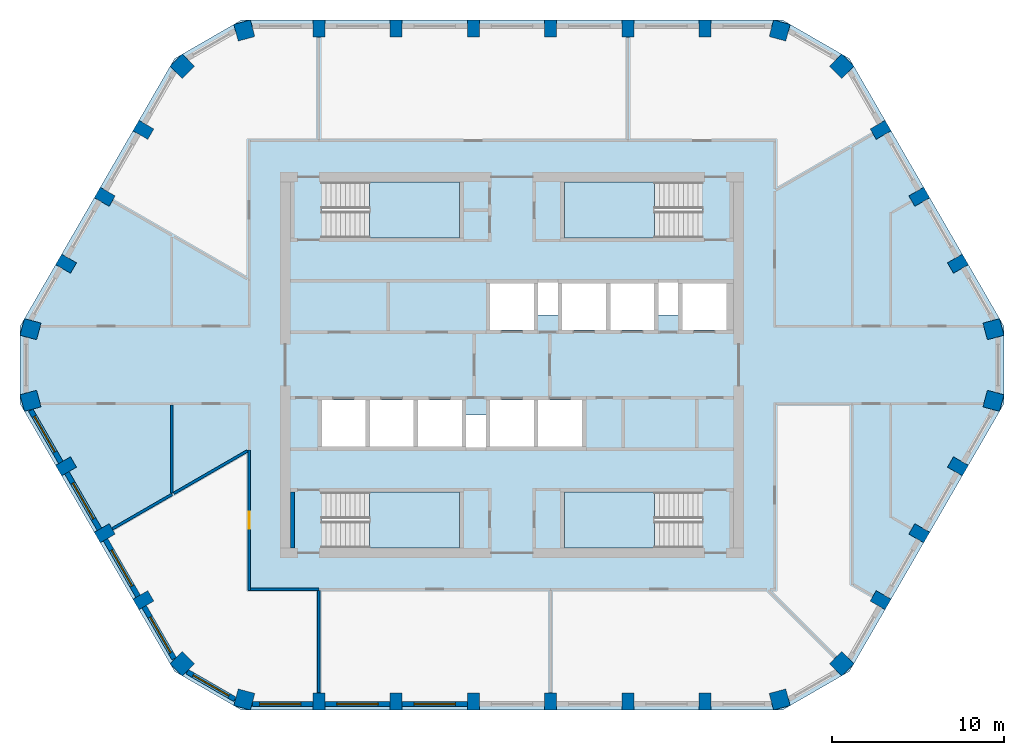
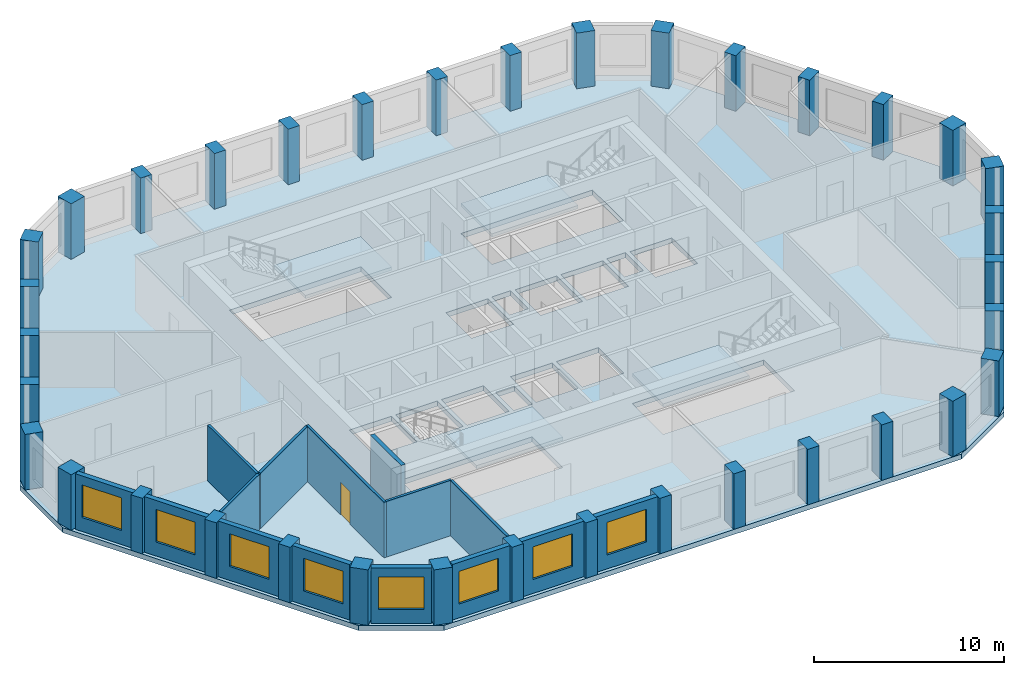
# One storey, part 1 of 11: 36 columns, 15 walls, 8 windows, 5 slabs, 1 door, 9 openings, 4 elements without a shape of their own.
"""IFC4 building model written with IfcOpenShell, lengths in metres."""

from ifc_helpers import new_model, si_unit, direction, frame, frame_2d, origin, origin_2d, place, context, subcontext, project, spatial, polyline, rectangle, outline, extrude, material, layer, layer_set, material_profile, profile_set, type_object, element, fill, aggregate, save


model = new_model("IFC4")

# Units and contexts
model_context = context("Model", 3, precision=1e-05, world=origin(), true_north=direction((0.0, 1.0)))
body_context = subcontext(model_context, "Body", "Model", "MODEL_VIEW")
ifc_project = project(units=[si_unit("LENGTHUNIT", "METRE"), si_unit("AREAUNIT", "SQUARE_METRE"), si_unit("VOLUMEUNIT", "CUBIC_METRE"), si_unit("PLANEANGLEUNIT", "RADIAN"), si_unit("MASSUNIT", "GRAM", prefix="KILO")], contexts=[model_context])

# Site, building, storey
site_placement = place(None, origin())
site = spatial("IfcSite", under=ifc_project, at=site_placement, CompositionType="ELEMENT")
building_placement = place(site_placement, origin())
building = spatial("IfcBuilding", under=site, at=building_placement, Name="Dhurran Vertical Campus", CompositionType="ELEMENT")
storey_placement = place(building_placement, frame((0.0, 0.0, 270.300048828125)))
storey = spatial("IfcBuildingStorey", under=building, at=storey_placement, Name="L67", CompositionType="ELEMENT", Elevation=270.300048828125)

# Columns
ifc_material_1 = material(Name="Concrete C50/60", Category="concrete")
ifc_material_profile_1 = material_profile(ifc_material_1, rectangle(XDim=1.0, YDim=1.0, at=origin_2d()), Name="RC 1000x1000")
ifc_profile_set_1 = profile_set([ifc_material_profile_1], Name="Concrete C50/60")
column_type_1 = type_object("IfcColumnType", Name="FR COL RC 1000x1000 C50/60", PredefinedType="COLUMN", material=ifc_profile_set_1)
for number, where, z_axis, x_axis, name in (
    (1, (-15.5859375, -19.47607421875, 0.0), (0.0, 0.0, 1.0), (0.965925826289, -0.258819045103, 0.0), "Perimeter pier PP5.00"),
    (2, (15.5859375, -19.47607421875, 0.0), (0.0, 0.0, 1.0), (0.965925826289, 0.258819045103, 0.0), "Perimeter pier PP5.07"),
    (3, (19.19873046875, -17.39013671875, 0.0), (0.0, 0.0, 1.0), (0.707106781187, 0.707106781187, 0.0), "Perimeter pier PP5.08"),
    (4, (28.03466796875, -2.0859375, 0.0), (0.0, 0.0, 1.0), (0.258819045103, 0.965925826289, 0.0), "Perimeter pier PP5.12"),
    (5, (28.03466796875, 2.0859375, 0.0), (0.0, 0.0, 1.0), (-0.258819045103, 0.965925826289, 0.0), "Perimeter pier PP5.13"),
    (6, (19.19873046875, 17.39013671875, 0.0), (0.0, 0.0, 1.0), (-0.707106781187, 0.707106781187, 0.0), "Perimeter pier PP5.17"),
    (7, (15.5859375, 19.47607421875, 0.0), (0.0, 0.0, 1.0), (-0.965925826289, 0.258819045103, 0.0), "Perimeter pier PP5.18"),
    (8, (-15.5859375, 19.47607421875, 0.0), (0.0, 0.0, 1.0), (-0.965925826289, -0.258819045103, 0.0), "Perimeter pier PP5.25"),
    (9, (-19.19873046875, 17.39013671875, 0.0), (0.0, 0.0, 1.0), (-0.707106781187, -0.707106781187, 0.0), "Perimeter pier PP5.26"),
    (10, (-28.03466796875, 2.0859375, 0.0), (0.0, 0.0, 1.0), (-0.258819045103, -0.965925826289, 0.0), "Perimeter pier PP5.30"),
    (11, (-28.03466796875, -2.0859375, 0.0), (0.0, 0.0, 1.0), (0.258819045103, -0.965925826289, 0.0), "Perimeter pier PP5.31"),
    (12, (-19.19873046875, -17.39013671875, 0.0), (0.0, 0.0, 1.0), (0.707106781187, -0.707106781187, 0.0), "Perimeter pier PP5.35"),
):
    element("IfcColumn", number, at=place(storey_placement, frame(where, z_axis=z_axis, x_axis=x_axis)), inside=storey, type_object=column_type_1, Name=name, PredefinedType="COLUMN", context=body_context, shape_type="SweptSolid", body=[
        extrude(rectangle(XDim=1.0, YDim=1.0, at=origin_2d()), origin(), (0.0, 0.0, 1.0), 3.574951171875),
    ])
ifc_material_2 = material(Name="Concrete C50/60", Category="concrete")
ifc_material_profile_2 = material_profile(ifc_material_2, rectangle(XDim=0.699951171875, YDim=1.0, at=origin_2d()), Name="RC 700x1000")
ifc_profile_set_2 = profile_set([ifc_material_profile_2], Name="Concrete C50/60")
column_type_2 = type_object("IfcColumnType", Name="FR COL RC 700x1000 C50/60", PredefinedType="COLUMN", material=ifc_profile_set_2)
for number, where, z_axis, x_axis, name in (
    (13, (-11.25, -19.58837890625, 0.0), (0.0, 0.0, 1.0), (1.0, 0.0, 0.0), "Perimeter pier PP5.01"),
    (14, (-6.75, -19.58837890625, 0.0), (0.0, 0.0, 1.0), (1.0, 0.0, 0.0), "Perimeter pier PP5.02"),
    (15, (-2.25, -19.58837890625, 0.0), (0.0, 0.0, 1.0), (1.0, 0.0, 0.0), "Perimeter pier PP5.03"),
    (16, (2.25, -19.58837890625, 0.0), (0.0, 0.0, 1.0), (1.0, 0.0, 0.0), "Perimeter pier PP5.04"),
    (17, (6.75, -19.58837890625, 0.0), (0.0, 0.0, 1.0), (1.0, 0.0, 0.0), "Perimeter pier PP5.05"),
    (18, (11.25, -19.58837890625, 0.0), (0.0, 0.0, 1.0), (1.0, 0.0, 0.0), "Perimeter pier PP5.06"),
    (19, (21.464111328125, -13.69140625, 0.0), (0.0, 0.0, 1.0), (0.5, 0.866025403784, 0.0), "Perimeter pier PP5.09"),
    (20, (23.714111328125, -9.794189453125, 0.0), (0.0, 0.0, 1.0), (0.5, 0.866025403784, 0.0), "Perimeter pier PP5.10"),
    (21, (25.964111328125, -5.897216796875, 0.0), (0.0, 0.0, 1.0), (0.5, 0.866025403784, 0.0), "Perimeter pier PP5.11"),
    (22, (25.964111328125, 5.897216796875, 0.0), (0.0, 0.0, 1.0), (-0.5, 0.866025403784, 0.0), "Perimeter pier PP5.14"),
    (23, (23.714111328125, 9.794189453125, 0.0), (0.0, 0.0, 1.0), (-0.5, 0.866025403784, 0.0), "Perimeter pier PP5.15"),
    (24, (21.464111328125, 13.69140625, 0.0), (0.0, 0.0, 1.0), (-0.5, 0.866025403784, 0.0), "Perimeter pier PP5.16"),
    (25, (11.25, 19.58837890625, 0.0), (0.0, 0.0, 1.0), (-1.0, 0.0, 0.0), "Perimeter pier PP5.19"),
    (26, (6.75, 19.58837890625, 0.0), (0.0, 0.0, 1.0), (-1.0, 0.0, 0.0), "Perimeter pier PP5.20"),
    (27, (2.25, 19.58837890625, 0.0), (0.0, 0.0, 1.0), (-1.0, 0.0, 0.0), "Perimeter pier PP5.21"),
    (28, (-2.25, 19.58837890625, 0.0), (0.0, 0.0, 1.0), (-1.0, 0.0, 0.0), "Perimeter pier PP5.22"),
    (29, (-6.75, 19.58837890625, 0.0), (0.0, 0.0, 1.0), (-1.0, 0.0, 0.0), "Perimeter pier PP5.23"),
    (30, (-11.25, 19.58837890625, 0.0), (0.0, 0.0, 1.0), (-1.0, 0.0, 0.0), "Perimeter pier PP5.24"),
    (31, (-21.464111328125, 13.69140625, 0.0), (0.0, 0.0, 1.0), (-0.5, -0.866025403784, 0.0), "Perimeter pier PP5.27"),
    (32, (-23.714111328125, 9.794189453125, 0.0), (0.0, 0.0, 1.0), (-0.5, -0.866025403784, 0.0), "Perimeter pier PP5.28"),
    (33, (-25.964111328125, 5.897216796875, 0.0), (0.0, 0.0, 1.0), (-0.5, -0.866025403784, 0.0), "Perimeter pier PP5.29"),
    (34, (-25.964111328125, -5.897216796875, 0.0), (0.0, 0.0, 1.0), (0.5, -0.866025403784, 0.0), "Perimeter pier PP5.32"),
    (35, (-23.714111328125, -9.794189453125, 0.0), (0.0, 0.0, 1.0), (0.5, -0.866025403784, 0.0), "Perimeter pier PP5.33"),
    (36, (-21.464111328125, -13.69140625, 0.0), (0.0, 0.0, 1.0), (0.5, -0.866025403784, 0.0), "Perimeter pier PP5.34"),
):
    element("IfcColumn", number, at=place(storey_placement, frame(where, z_axis=z_axis, x_axis=x_axis)), inside=storey, type_object=column_type_2, Name=name, PredefinedType="COLUMN", context=body_context, shape_type="SweptSolid", body=[
        extrude(rectangle(XDim=0.699951171875, YDim=1.0, at=origin_2d()), origin(), (0.0, 0.0, 1.0), 3.574951171875),
    ])

# Slab
ifc_material_3 = material(Name="Concrete C40/50", Category="concrete")
ifc_layer_1 = layer(ifc_material_3, 0.324951171875)
ifc_layer_set_1 = layer_set([ifc_layer_1], Name="Concrete C40/50")
slab_type_1 = type_object("IfcSlabType", Name="FR POST-TENSIONED FLAT SLAB 325", PredefinedType="FLOOR", material=ifc_layer_set_1)
slab_1_placement = place(storey_placement, frame((0.0, 0.0, -0.324951171875)))
element("IfcSlab", 37, at=slab_1_placement, inside=storey, type_object=slab_type_1, Name="Floor slab L67", PredefinedType="FLOOR", context=body_context, shape_type="SweptSolid", body=[
    extrude(outline(polyline([(-15.75, -20.08837890625), (15.75, -20.08837890625), (19.647216796875, -17.83837890625), (28.647216796875, -2.25), (28.647216796875, 2.25), (19.647216796875, 17.83837890625), (15.75, 20.08837890625), (-15.75, 20.08837890625), (-19.647216796875, 17.83837890625), (-28.647216796875, 2.25), (-28.647216796875, -2.25), (-19.647216796875, -17.83837890625), (-15.75, -20.08837890625)]), holes=[polyline([(-1.27490234375, 2.050048828125), (1.27490234375, 2.050048828125), (1.27490234375, 4.75), (-1.27490234375, 4.75), (-1.27490234375, 2.050048828125)]), polyline([(9.925048828125, 2.050048828125), (12.47509765625, 2.050048828125), (12.47509765625, 4.75), (9.925048828125, 4.75), (9.925048828125, 2.050048828125)]), polyline([(-1.27490234375, -4.75), (1.27490234375, -4.75), (1.27490234375, -2.050048828125), (-1.27490234375, -2.050048828125), (-1.27490234375, -4.75)]), polyline([(1.52490234375, -4.75), (4.074951171875, -4.75), (4.074951171875, -2.050048828125), (1.52490234375, -2.050048828125), (1.52490234375, -4.75)]), polyline([(2.925048828125, 2.050048828125), (5.47509765625, 2.050048828125), (5.47509765625, 4.75), (2.925048828125, 4.75), (2.925048828125, 2.050048828125)]), polyline([(5.72509765625, 2.050048828125), (8.27490234375, 2.050048828125), (8.27490234375, 4.75), (5.72509765625, 4.75), (5.72509765625, 2.050048828125)]), polyline([(-11.074951171875, -4.75), (-8.52490234375, -4.75), (-8.52490234375, -2.050048828125), (-11.074951171875, -2.050048828125), (-11.074951171875, -4.75)]), polyline([(-8.27490234375, -4.75), (-5.72509765625, -4.75), (-5.72509765625, -2.050048828125), (-8.27490234375, -2.050048828125), (-8.27490234375, -4.75)]), polyline([(-5.47509765625, -4.75), (-2.925048828125, -4.75), (-2.925048828125, -2.050048828125), (-5.47509765625, -2.050048828125), (-5.47509765625, -4.75)]), polyline([(-11.050048828125, 7.39990234375), (-3.050048828125, 7.39990234375), (-3.050048828125, 10.64990234375), (-11.050048828125, 10.64990234375), (-11.050048828125, 7.39990234375)]), polyline([(3.050048828125, 7.39990234375), (11.050048828125, 7.39990234375), (11.050048828125, 10.64990234375), (3.050048828125, 10.64990234375), (3.050048828125, 7.39990234375)]), polyline([(-11.050048828125, -10.64990234375), (-3.050048828125, -10.64990234375), (-3.050048828125, -7.39990234375), (-11.050048828125, -7.39990234375), (-11.050048828125, -10.64990234375)]), polyline([(3.050048828125, -10.64990234375), (11.050048828125, -10.64990234375), (11.050048828125, -7.39990234375), (3.050048828125, -7.39990234375), (3.050048828125, -10.64990234375)]), polyline([(2.675048828125, 2.89990234375), (1.52490234375, 2.89990234375), (1.52490234375, 4.800048828125), (2.675048828125, 4.800048828125), (2.675048828125, 2.89990234375)]), polyline([(-2.675048828125, -2.89990234375), (-1.52490234375, -2.89990234375), (-1.52490234375, -4.800048828125), (-2.675048828125, -4.800048828125), (-2.675048828125, -2.89990234375)]), polyline([(9.675048828125, 2.89990234375), (8.52490234375, 2.89990234375), (8.52490234375, 4.800048828125), (9.675048828125, 4.800048828125), (9.675048828125, 2.89990234375)])]), origin(), (0.0, 0.0, 1.0), 0.324951171875),
])

# Stair, slab
ifc_material_4 = material(Name="Concrete C40/50", Category="concrete")
stair_type = type_object("IfcStairType", Name="co-ST-CORE", PredefinedType="HALF_TURN_STAIR", material=ifc_material_4)
stair_1_placement = place(storey_placement, origin())
stair_1 = element("IfcStair", 38, at=stair_1_placement, inside=storey, type_object=stair_type, Name="L67 Protected exit stair ST1", PredefinedType="HALF_TURN_STAIR")
ifc_material_5 = material(Name="Concrete C40/50", Category="concrete")
ifc_layer_2 = layer(ifc_material_5, 0.199951171875)
ifc_layer_set_2 = layer_set([ifc_layer_2], Name="Concrete C40/50")
slab_type_2 = type_object("IfcSlabType", Name="co-SL-LANDING", PredefinedType="LANDING", material=ifc_layer_set_2)
slab_2_placement = place(storey_placement, frame((0.0, 0.0, 1.75)))
slab_2 = element("IfcSlab", 39, at=slab_2_placement, type_object=slab_type_2, Name="ST1 landing 1", PredefinedType="LANDING", context=body_context, shape_type="SweptSolid", body=[
    extrude(outline(polyline([(-8.300048828125, 7.39990234375), (-3.050048828125, 7.39990234375), (-3.050048828125, 10.64990234375), (-8.300048828125, 10.64990234375), (-8.300048828125, 7.39990234375)])), origin(), (0.0, 0.0, 1.0), 0.199951171875),
])
aggregate(stair_1, [slab_2])

stair_2_placement = place(storey_placement, origin())
stair_2 = element("IfcStair", 40, at=stair_2_placement, inside=storey, type_object=stair_type, Name="L67 Protected exit stair ST2", PredefinedType="HALF_TURN_STAIR")
slab_3_placement = place(storey_placement, frame((0.0, 0.0, 1.75)))
slab_3 = element("IfcSlab", 41, at=slab_3_placement, type_object=slab_type_2, Name="ST2 landing 1", PredefinedType="LANDING", context=body_context, shape_type="SweptSolid", body=[
    extrude(outline(polyline([(8.300048828125, 10.64990234375), (3.050048828125, 10.64990234375), (3.050048828125, 7.39990234375), (8.300048828125, 7.39990234375), (8.300048828125, 10.64990234375)])), origin(), (0.0, 0.0, 1.0), 0.199951171875),
])
aggregate(stair_2, [slab_3])

stair_3_placement = place(storey_placement, origin())
stair_3 = element("IfcStair", 42, at=stair_3_placement, inside=storey, type_object=stair_type, Name="L67 Protected exit stair ST3", PredefinedType="HALF_TURN_STAIR")
slab_4_placement = place(storey_placement, frame((0.0, 0.0, 1.75)))
slab_4 = element("IfcSlab", 43, at=slab_4_placement, type_object=slab_type_2, Name="ST3 landing 1", PredefinedType="LANDING", context=body_context, shape_type="SweptSolid", body=[
    extrude(outline(polyline([(-8.300048828125, -10.64990234375), (-3.050048828125, -10.64990234375), (-3.050048828125, -7.39990234375), (-8.300048828125, -7.39990234375), (-8.300048828125, -10.64990234375)])), origin(), (0.0, 0.0, 1.0), 0.199951171875),
])
aggregate(stair_3, [slab_4])

stair_4_placement = place(storey_placement, origin())
stair_4 = element("IfcStair", 44, at=stair_4_placement, inside=storey, type_object=stair_type, Name="L67 Protected exit stair ST4", PredefinedType="HALF_TURN_STAIR")
slab_5_placement = place(storey_placement, frame((0.0, 0.0, 1.75)))
slab_5 = element("IfcSlab", 45, at=slab_5_placement, type_object=slab_type_2, Name="ST4 landing 1", PredefinedType="LANDING", context=body_context, shape_type="SweptSolid", body=[
    extrude(outline(polyline([(8.300048828125, -7.39990234375), (3.050048828125, -7.39990234375), (3.050048828125, -10.64990234375), (8.300048828125, -10.64990234375), (8.300048828125, -7.39990234375)])), origin(), (0.0, 0.0, 1.0), 0.199951171875),
])
aggregate(stair_4, [slab_5])

# Wall, opening, window
ifc_material_6 = material(Name="Precast concrete C50/60", Category="concrete")
ifc_layer_3 = layer(ifc_material_6, 0.300048828125)
ifc_layer_set_3 = layer_set([ifc_layer_3], Name="Precast concrete C50/60")
wall_type_1 = type_object("IfcWallType", Name="Precast spandrel wall 300", PredefinedType="SOLIDWALL", material=ifc_layer_set_3)
wall_1_placement = place(storey_placement, frame((-15.09814453125, -19.738525390625, 0.0), z_axis=(0.0, 0.0, 1.0), x_axis=(1.0, 0.0, 0.0)))
wall_1 = element("IfcWall", 46, at=wall_1_placement, inside=storey, type_object=wall_type_1, Name="EW1 L67.00", PredefinedType="SOLIDWALL", context=body_context, shape_type="SweptSolid", body=[
    extrude(rectangle(XDim=3.49755859375, YDim=0.300048828125, at=frame_2d((1.748779296875, 0.0))), origin(), (0.0, 0.0, 1.0), 3.574951171875),
])
opening_1_placement = place(wall_1_placement, frame((0.398193359375, 0.0, 0.89990234375)))
opening_1 = element("IfcOpeningElement", 47, at=opening_1_placement, cuts=wall_1, Name="Opening WT1", PredefinedType="OPENING", context=body_context, shape_type="SweptSolid", body=[
    extrude(rectangle(XDim=2.39990234375, YDim=2.10009765625, at=frame_2d((1.199951171875, 1.050048828125))), frame((0.0, 0.159912109375, 0.0), z_axis=(0.0, -1.0, 0.0), x_axis=(1.0, 0.0, 0.0)), (0.0, 0.0, 1.0), 0.320068359375),
])
ifc_material_7 = material(Name="Aluminium frame with solar-control glass", Category="aluminium")
window_type = type_object("IfcWindowType", Name="Punched window 2400 x 2100", PartitioningType="SINGLE_PANEL", PredefinedType="WINDOW", material=ifc_material_7)
window_1_placement = place(opening_1_placement, origin())
window_1 = element("IfcWindow", 48, at=window_1_placement, inside=storey, type_object=window_type, Name="WT1 L67.00", OverallHeight=2.10009765625, OverallWidth=2.39990234375, PartitioningType="SINGLE_PANEL", PredefinedType="WINDOW", context=body_context, shape_type="SweptSolid", body=[
    extrude(rectangle(XDim=2.39990234375, YDim=2.10009765625, at=frame_2d((1.199951171875, 1.050048828125))), frame((0.0, 0.030029296875, 0.0), z_axis=(0.0, -1.0, 0.0), x_axis=(1.0, 0.0, 0.0)), (0.0, 0.0, 1.0), 0.06005859375),
])
fill(opening_1, window_1)

wall_2_placement = place(storey_placement, frame((-10.8994140625, -19.738525390625, 0.0), z_axis=(0.0, 0.0, 1.0), x_axis=(1.0, 0.0, 0.0)))
wall_2 = element("IfcWall", 49, at=wall_2_placement, inside=storey, type_object=wall_type_1, Name="EW1 L67.01", PredefinedType="SOLIDWALL", context=body_context, shape_type="SweptSolid", body=[
    extrude(rectangle(XDim=3.798828125, YDim=0.300048828125, at=frame_2d((1.8994140625, 0.0))), origin(), (0.0, 0.0, 1.0), 3.574951171875),
])
opening_2_placement = place(wall_2_placement, frame((0.699462890625, 0.0, 0.89990234375)))
opening_2 = element("IfcOpeningElement", 50, at=opening_2_placement, cuts=wall_2, Name="Opening WT1", PredefinedType="OPENING", context=body_context, shape_type="SweptSolid", body=[
    extrude(rectangle(XDim=2.39990234375, YDim=2.10009765625, at=frame_2d((1.199951171875, 1.050048828125))), frame((0.0, 0.159912109375, 0.0), z_axis=(0.0, -1.0, 0.0), x_axis=(1.0, 0.0, 0.0)), (0.0, 0.0, 1.0), 0.320068359375),
])
window_2_placement = place(opening_2_placement, origin())
window_2 = element("IfcWindow", 51, at=window_2_placement, inside=storey, type_object=window_type, Name="WT1 L67.01", OverallHeight=2.10009765625, OverallWidth=2.39990234375, PartitioningType="SINGLE_PANEL", PredefinedType="WINDOW", context=body_context, shape_type="SweptSolid", body=[
    extrude(rectangle(XDim=2.39990234375, YDim=2.10009765625, at=frame_2d((1.199951171875, 1.050048828125))), frame((0.0, 0.030029296875, 0.0), z_axis=(0.0, -1.0, 0.0), x_axis=(1.0, 0.0, 0.0)), (0.0, 0.0, 1.0), 0.06005859375),
])
fill(opening_2, window_2)

wall_3_placement = place(storey_placement, frame((-6.3994140625, -19.738525390625, 0.0), z_axis=(0.0, 0.0, 1.0), x_axis=(1.0, 0.0, 0.0)))
wall_3 = element("IfcWall", 52, at=wall_3_placement, inside=storey, type_object=wall_type_1, Name="EW1 L67.02", PredefinedType="SOLIDWALL", context=body_context, shape_type="SweptSolid", body=[
    extrude(rectangle(XDim=3.798828125, YDim=0.300048828125, at=frame_2d((1.8994140625, 0.0))), origin(), (0.0, 0.0, 1.0), 3.574951171875),
])
opening_3_placement = place(wall_3_placement, frame((0.699462890625, 0.0, 0.89990234375)))
opening_3 = element("IfcOpeningElement", 53, at=opening_3_placement, cuts=wall_3, Name="Opening WT1", PredefinedType="OPENING", context=body_context, shape_type="SweptSolid", body=[
    extrude(rectangle(XDim=2.39990234375, YDim=2.10009765625, at=frame_2d((1.199951171875, 1.050048828125))), frame((0.0, 0.159912109375, 0.0), z_axis=(0.0, -1.0, 0.0), x_axis=(1.0, 0.0, 0.0)), (0.0, 0.0, 1.0), 0.320068359375),
])
window_3_placement = place(opening_3_placement, origin())
window_3 = element("IfcWindow", 54, at=window_3_placement, inside=storey, type_object=window_type, Name="WT1 L67.02", OverallHeight=2.10009765625, OverallWidth=2.39990234375, PartitioningType="SINGLE_PANEL", PredefinedType="WINDOW", context=body_context, shape_type="SweptSolid", body=[
    extrude(rectangle(XDim=2.39990234375, YDim=2.10009765625, at=frame_2d((1.199951171875, 1.050048828125))), frame((0.0, 0.030029296875, 0.0), z_axis=(0.0, -1.0, 0.0), x_axis=(1.0, 0.0, 0.0)), (0.0, 0.0, 1.0), 0.06005859375),
])
fill(opening_3, window_3)

wall_4_placement = place(storey_placement, frame((-28.01806640625, -2.6396484375, 0.0), z_axis=(0.0, 0.0, 1.0), x_axis=(0.499990325971, -0.866030989016, 0.0)))
wall_4 = element("IfcWall", 55, at=wall_4_placement, inside=storey, type_object=wall_type_1, Name="EW1 L67.31", PredefinedType="SOLIDWALL", context=body_context, shape_type="SweptSolid", body=[
    extrude(rectangle(XDim=3.49755859375, YDim=0.300048828125, at=frame_2d((1.748779296875, 0.0))), origin(), (0.0, 0.0, 1.0), 3.574951171875),
])
opening_4_placement = place(wall_4_placement, frame((0.398193359375, 0.0, 0.89990234375)))
opening_4 = element("IfcOpeningElement", 56, at=opening_4_placement, cuts=wall_4, Name="Opening WT1", PredefinedType="OPENING", context=body_context, shape_type="SweptSolid", body=[
    extrude(rectangle(XDim=2.39990234375, YDim=2.10009765625, at=frame_2d((1.199951171875, 1.050048828125))), frame((0.0, 0.159912109375, 0.0), z_axis=(0.0, -1.0, 0.0), x_axis=(1.0, 0.0, 0.0)), (0.0, 0.0, 1.0), 0.320068359375),
])
window_4_placement = place(opening_4_placement, origin())
window_4 = element("IfcWindow", 57, at=window_4_placement, inside=storey, type_object=window_type, Name="WT1 L67.31", OverallHeight=2.10009765625, OverallWidth=2.39990234375, PartitioningType="SINGLE_PANEL", PredefinedType="WINDOW", context=body_context, shape_type="SweptSolid", body=[
    extrude(rectangle(XDim=2.39990234375, YDim=2.10009765625, at=frame_2d((1.199951171875, 1.050048828125))), frame((0.0, 0.030029296875, 0.0), z_axis=(0.0, -1.0, 0.0), x_axis=(1.0, 0.0, 0.0)), (0.0, 0.0, 1.0), 0.06005859375),
])
fill(opening_4, window_4)

wall_5_placement = place(storey_placement, frame((-25.918701171875, -6.275634765625, 0.0), z_axis=(0.0, 0.0, 1.0), x_axis=(0.499982058975, -0.866035761792, 0.0)))
wall_5 = element("IfcWall", 58, at=wall_5_placement, inside=storey, type_object=wall_type_1, Name="EW1 L67.32", PredefinedType="SOLIDWALL", context=body_context, shape_type="SweptSolid", body=[
    extrude(rectangle(XDim=3.799072265625, YDim=0.300048828125, at=frame_2d((1.8994140625, 0.0))), origin(), (0.0, 0.0, 1.0), 3.574951171875),
])
opening_5_placement = place(wall_5_placement, frame((0.699462890625, 0.0, 0.89990234375)))
opening_5 = element("IfcOpeningElement", 59, at=opening_5_placement, cuts=wall_5, Name="Opening WT1", PredefinedType="OPENING", context=body_context, shape_type="SweptSolid", body=[
    extrude(rectangle(XDim=2.39990234375, YDim=2.10009765625, at=frame_2d((1.199951171875, 1.050048828125))), frame((0.0, 0.159912109375, 0.0), z_axis=(0.0, -1.0, 0.0), x_axis=(1.0, 0.0, 0.0)), (0.0, 0.0, 1.0), 0.320068359375),
])
window_5_placement = place(opening_5_placement, origin())
window_5 = element("IfcWindow", 60, at=window_5_placement, inside=storey, type_object=window_type, Name="WT1 L67.32", OverallHeight=2.10009765625, OverallWidth=2.39990234375, PartitioningType="SINGLE_PANEL", PredefinedType="WINDOW", context=body_context, shape_type="SweptSolid", body=[
    extrude(rectangle(XDim=2.39990234375, YDim=2.10009765625, at=frame_2d((1.199951171875, 1.050048828125))), frame((0.0, 0.030029296875, 0.0), z_axis=(0.0, -1.0, 0.0), x_axis=(1.0, 0.0, 0.0)), (0.0, 0.0, 1.0), 0.06005859375),
])
fill(opening_5, window_5)

wall_6_placement = place(storey_placement, frame((-23.668701171875, -10.1728515625, 0.0), z_axis=(0.0, 0.0, 1.0), x_axis=(0.499982058975, -0.866035761792, 0.0)))
wall_6 = element("IfcWall", 61, at=wall_6_placement, inside=storey, type_object=wall_type_1, Name="EW1 L67.33", PredefinedType="SOLIDWALL", context=body_context, shape_type="SweptSolid", body=[
    extrude(rectangle(XDim=3.799072265625, YDim=0.300048828125, at=frame_2d((1.8994140625, 0.0))), origin(), (0.0, 0.0, 1.0), 3.574951171875),
])
opening_6_placement = place(wall_6_placement, frame((0.699462890625, 0.0, 0.89990234375)))
opening_6 = element("IfcOpeningElement", 62, at=opening_6_placement, cuts=wall_6, Name="Opening WT1", PredefinedType="OPENING", context=body_context, shape_type="SweptSolid", body=[
    extrude(rectangle(XDim=2.39990234375, YDim=2.10009765625, at=frame_2d((1.199951171875, 1.050048828125))), frame((0.0, 0.159912109375, 0.0), z_axis=(0.0, -1.0, 0.0), x_axis=(1.0, 0.0, 0.0)), (0.0, 0.0, 1.0), 0.320068359375),
])
window_6_placement = place(opening_6_placement, origin())
window_6 = element("IfcWindow", 63, at=window_6_placement, inside=storey, type_object=window_type, Name="WT1 L67.33", OverallHeight=2.10009765625, OverallWidth=2.39990234375, PartitioningType="SINGLE_PANEL", PredefinedType="WINDOW", context=body_context, shape_type="SweptSolid", body=[
    extrude(rectangle(XDim=2.39990234375, YDim=2.10009765625, at=frame_2d((1.199951171875, 1.050048828125))), frame((0.0, 0.030029296875, 0.0), z_axis=(0.0, -1.0, 0.0), x_axis=(1.0, 0.0, 0.0)), (0.0, 0.0, 1.0), 0.06005859375),
])
fill(opening_6, window_6)

wall_7_placement = place(storey_placement, frame((-21.418701171875, -14.06982421875, 0.0), z_axis=(0.0, 0.0, 1.0), x_axis=(0.499960102815, -0.866048437209, 0.0)))
wall_7 = element("IfcWall", 64, at=wall_7_placement, inside=storey, type_object=wall_type_1, Name="EW1 L67.34", PredefinedType="SOLIDWALL", context=body_context, shape_type="SweptSolid", body=[
    extrude(rectangle(XDim=3.497802734375, YDim=0.300048828125, at=frame_2d((1.7490234375, 0.0))), origin(), (0.0, 0.0, 1.0), 3.574951171875),
])
opening_7_placement = place(wall_7_placement, frame((0.699462890625, 0.0, 0.89990234375)))
opening_7 = element("IfcOpeningElement", 65, at=opening_7_placement, cuts=wall_7, Name="Opening WT1", PredefinedType="OPENING", context=body_context, shape_type="SweptSolid", body=[
    extrude(rectangle(XDim=2.39990234375, YDim=2.10009765625, at=frame_2d((1.199951171875, 1.050048828125))), frame((0.0, 0.159912109375, 0.0), z_axis=(0.0, -1.0, 0.0), x_axis=(1.0, 0.0, 0.0)), (0.0, 0.0, 1.0), 0.320068359375),
])
window_7_placement = place(opening_7_placement, origin())
window_7 = element("IfcWindow", 66, at=window_7_placement, inside=storey, type_object=window_type, Name="WT1 L67.34", OverallHeight=2.10009765625, OverallWidth=2.39990234375, PartitioningType="SINGLE_PANEL", PredefinedType="WINDOW", context=body_context, shape_type="SweptSolid", body=[
    extrude(rectangle(XDim=2.39990234375, YDim=2.10009765625, at=frame_2d((1.199951171875, 1.050048828125))), frame((0.0, 0.030029296875, 0.0), z_axis=(0.0, -1.0, 0.0), x_axis=(1.0, 0.0, 0.0)), (0.0, 0.0, 1.0), 0.06005859375),
])
fill(opening_7, window_7)

wall_8_placement = place(storey_placement, frame((-18.90771484375, -17.861328125, 0.0), z_axis=(0.0, 0.0, 1.0), x_axis=(0.866025316205, -0.500000151692, 0.0)))
wall_8 = element("IfcWall", 67, at=wall_8_placement, inside=storey, type_object=wall_type_1, Name="EW1 L67.35", PredefinedType="SOLIDWALL", context=body_context, shape_type="SweptSolid", body=[
    extrude(rectangle(XDim=3.1962890625, YDim=0.300048828125, at=frame_2d((1.59814453125, 0.0))), origin(), (0.0, 0.0, 1.0), 3.574951171875),
])
opening_8_placement = place(wall_8_placement, frame((0.398193359375, 0.0, 0.89990234375)))
opening_8 = element("IfcOpeningElement", 68, at=opening_8_placement, cuts=wall_8, Name="Opening WT1", PredefinedType="OPENING", context=body_context, shape_type="SweptSolid", body=[
    extrude(rectangle(XDim=2.39990234375, YDim=2.10009765625, at=frame_2d((1.199951171875, 1.050048828125))), frame((0.0, 0.159912109375, 0.0), z_axis=(0.0, -1.0, 0.0), x_axis=(1.0, 0.0, 0.0)), (0.0, 0.0, 1.0), 0.320068359375),
])
window_8_placement = place(opening_8_placement, origin())
window_8 = element("IfcWindow", 69, at=window_8_placement, inside=storey, type_object=window_type, Name="WT1 L67.35", OverallHeight=2.10009765625, OverallWidth=2.39990234375, PartitioningType="SINGLE_PANEL", PredefinedType="WINDOW", context=body_context, shape_type="SweptSolid", body=[
    extrude(rectangle(XDim=2.39990234375, YDim=2.10009765625, at=frame_2d((1.199951171875, 1.050048828125))), frame((0.0, 0.030029296875, 0.0), z_axis=(0.0, -1.0, 0.0), x_axis=(1.0, 0.0, 0.0)), (0.0, 0.0, 1.0), 0.06005859375),
])
fill(opening_8, window_8)

# Wall
ifc_material_8 = material(Name="Concrete C40/50", Category="concrete")
ifc_layer_4 = layer(ifc_material_8, 0.25)
ifc_layer_set_4 = layer_set([ifc_layer_4], Name="Concrete C40/50")
wall_type_2 = type_object("IfcWallType", Name="co-STAIR-WALL-250", PredefinedType="SHEAR", material=ifc_layer_set_4)
wall_9_placement = place(storey_placement, frame((-12.77490234375, -10.64990234375, 0.0), z_axis=(0.0, 0.0, 1.0), x_axis=(0.0, 1.0, 0.0)))
element("IfcWall", 70, at=wall_9_placement, inside=storey, type_object=wall_type_2, Name="Stair ST3 enclosure wall L67", PredefinedType="SHEAR", context=body_context, shape_type="SweptSolid", body=[
    extrude(rectangle(XDim=3.25, YDim=0.25, at=frame_2d((1.625, 0.0))), origin(), (0.0, 0.0, 1.0), 3.574951171875),
])

# Wall, opening, door
ifc_material_9 = material(Name="Gypsum board corridor wall on steel studs", Category="steel")
ifc_layer_5 = layer(ifc_material_9, 0.14990234375)
ifc_layer_set_5 = layer_set([ifc_layer_5], Name="Gypsum board corridor wall on steel studs")
wall_type_3 = type_object("IfcWallType", Name="fl-CW-150 corridor wall", PredefinedType="PARTITIONING", material=ifc_layer_set_5)
wall_10_placement = place(storey_placement, frame((-15.300048828125, -4.93603515625, 0.0), z_axis=(0.0, 0.0, 1.0), x_axis=(0.0, -1.0, 0.0)))
wall_10 = element("IfcWall", 71, at=wall_10_placement, inside=storey, type_object=wall_type_3, Name="Partition 67-11", PredefinedType="PARTITIONING", context=body_context, shape_type="SweptSolid", body=[
    extrude(rectangle(XDim=8.18896484375, YDim=0.14990234375, at=frame_2d((4.094482421875, 0.0))), origin(), (0.0, 0.0, 1.0), 3.574951171875),
])
opening_9_placement = place(wall_10_placement, frame((3.594482421875, 0.0, 0.0)))
opening_9 = element("IfcOpeningElement", 72, at=opening_9_placement, cuts=wall_10, Name="Opening T20.05", PredefinedType="OPENING", context=body_context, shape_type="SweptSolid", body=[
    extrude(rectangle(XDim=1.0, YDim=2.10009765625, at=frame_2d((0.5, 1.050048828125))), frame((0.0, 0.0849609375, 0.0), z_axis=(0.0, -1.0, 0.0), x_axis=(1.0, 0.0, 0.0)), (0.0, 0.0, 1.0), 0.169921875),
])
ifc_material_10 = material(Name="Solid-core timber door set, fire-rated", Category="wood")
door_type = type_object("IfcDoorType", Name="fl-D-1000x2100", OperationType="SINGLE_SWING_LEFT", PredefinedType="DOOR", material=ifc_material_10)
door_placement = place(opening_9_placement, origin())
door = element("IfcDoor", 73, at=door_placement, inside=storey, type_object=door_type, Name="Door 67.05", OperationType="SINGLE_SWING_RIGHT", OverallHeight=2.10009765625, OverallWidth=1.0, PredefinedType="DOOR", context=body_context, shape_type="SweptSolid", body=[
    extrude(rectangle(XDim=1.0, YDim=2.10009765625, at=frame_2d((0.5, 1.050048828125))), frame((0.0, 0.02490234375, 0.0), z_axis=(0.0, -1.0, 0.0), x_axis=(1.0, 0.0, 0.0)), (0.0, 0.0, 1.0), 0.050048828125),
])
fill(opening_9, door)

# Walls
wall_11_placement = place(storey_placement, frame((-15.22509765625, -13.050048828125, 0.0), z_axis=(0.0, 0.0, 1.0), x_axis=(1.0, 0.0, 0.0)))
element("IfcWall", 74, at=wall_11_placement, inside=storey, type_object=wall_type_3, Name="Partition 67-12", PredefinedType="PARTITIONING", context=body_context, shape_type="SweptSolid", body=[
    extrude(rectangle(XDim=3.97509765625, YDim=0.14990234375, at=frame_2d((1.987548828125, 0.0))), origin(), (0.0, 0.0, 1.0), 3.574951171875),
])
ifc_material_11 = material(Name="Gypsum board partition on steel studs", Category="steel")
ifc_layer_6 = layer(ifc_material_11, 0.14990234375)
ifc_layer_set_6 = layer_set([ifc_layer_6], Name="Gypsum board partition on steel studs")
wall_type_4 = type_object("IfcWallType", Name="fl-PW-150 fixed partition", PredefinedType="PARTITIONING", material=ifc_layer_set_6)
wall_12_placement = place(storey_placement, frame((-19.800048828125, -7.533935546875, 0.0), z_axis=(0.0, 0.0, 1.0), x_axis=(-0.865984319305, -0.500071153655, 0.0)))
element("IfcWall", 75, at=wall_12_placement, inside=storey, type_object=wall_type_4, Name="Partition 67-03", PredefinedType="PARTITIONING", context=body_context, shape_type="SweptSolid", body=[
    extrude(rectangle(XDim=4.0, YDim=0.14990234375, at=frame_2d((2.0, 0.0))), origin(), (0.0, 0.0, 1.0), 3.574951171875),
])
wall_13_placement = place(storey_placement, frame((-19.800048828125, -2.324951171875, 0.0), z_axis=(0.0, 0.0, 1.0), x_axis=(0.0, -1.0, 0.0)))
element("IfcWall", 76, at=wall_13_placement, inside=storey, type_object=wall_type_4, Name="Partition 67-05", PredefinedType="PARTITIONING", context=body_context, shape_type="SweptSolid", body=[
    extrude(rectangle(XDim=5.134033203125, YDim=0.14990234375, at=frame_2d((2.56689453125, 0.0))), origin(), (0.0, 0.0, 1.0), 3.574951171875),
])
wall_14_placement = place(storey_placement, frame((-15.41259765625, -5.0009765625, 0.0), z_axis=(0.0, 0.0, 1.0), x_axis=(-0.866034039096, -0.499985042903, 0.0)))
element("IfcWall", 77, at=wall_14_placement, inside=storey, type_object=wall_type_4, Name="Partition 67-06", PredefinedType="PARTITIONING", context=body_context, shape_type="SweptSolid", body=[
    extrude(rectangle(XDim=4.936279296875, YDim=0.14990234375, at=frame_2d((2.46826171875, 0.0))), origin(), (0.0, 0.0, 1.0), 3.574951171875),
])
wall_15_placement = place(storey_placement, frame((-11.25, -13.125, 0.0), z_axis=(0.0, 0.0, 1.0), x_axis=(0.0, -1.0, 0.0)))
element("IfcWall", 78, at=wall_15_placement, inside=storey, type_object=wall_type_4, Name="Partition 67-17", PredefinedType="PARTITIONING", context=body_context, shape_type="SweptSolid", body=[
    extrude(rectangle(XDim=5.943603515625, YDim=0.14990234375, at=frame_2d((2.9716796875, 0.0))), origin(), (0.0, 0.0, 1.0), 3.574951171875),
])

save(model, "model.ifc")
